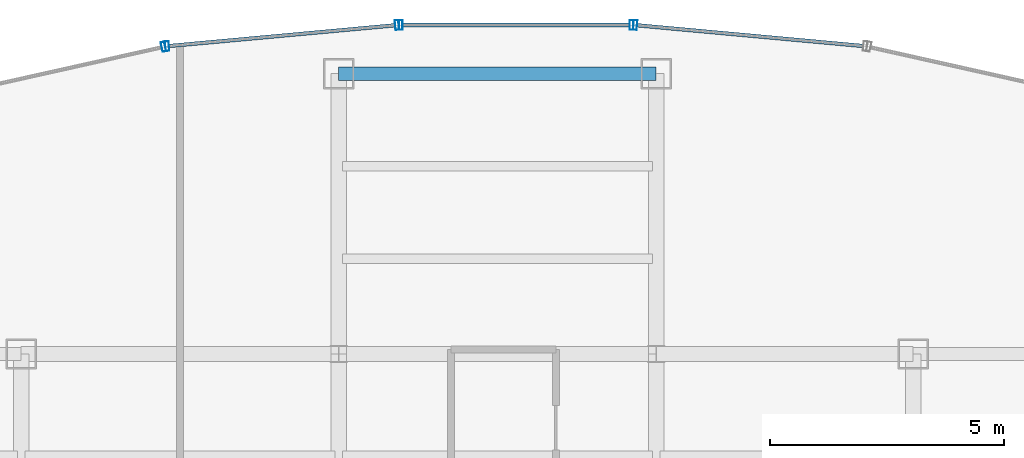
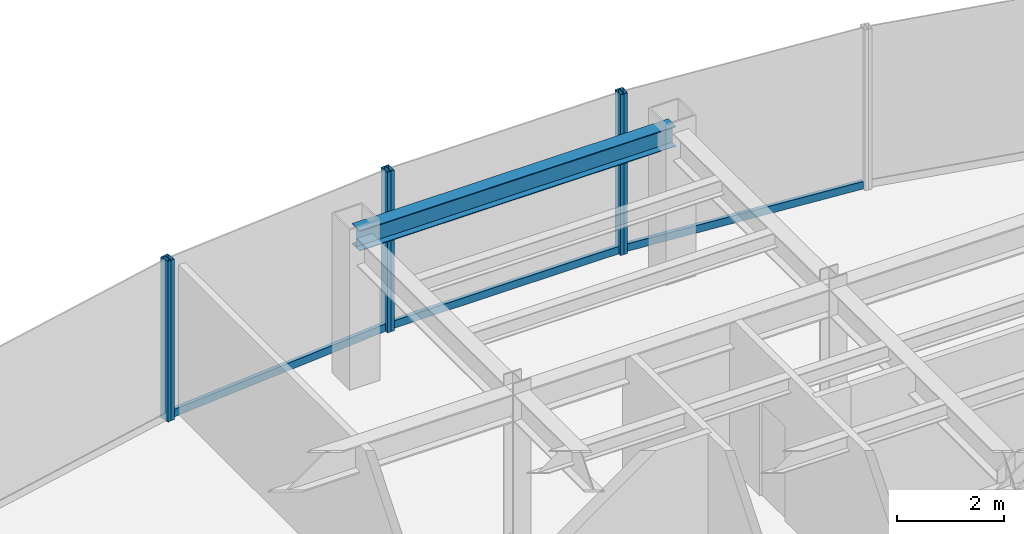
# One storey, part 16 of 25: 9 members, 1 beam, 4 elements without a shape of their own.
"""IFC4 building model written with IfcOpenShell, lengths in metres."""

from ifc_helpers import new_model, si_unit, derived_unit, direction, frame, origin, origin_2d, place, context, subcontext, project, spatial, hollow_rectangle, i_section, extrude, source, transform, mapped, material, material_profile, profile_set, type_object, element, aggregate, save


model = new_model("IFC4")

# Units and contexts
model_context = context("Model", 3, precision=1e-05, world=origin(), true_north=direction((0.0, 1.0)))
body_context = subcontext(model_context, "Body", "Model", "MODEL_VIEW")
ifc_project = project(units=[si_unit("LENGTHUNIT", "METRE"), si_unit("AREAUNIT", "SQUARE_METRE"), si_unit("VOLUMEUNIT", "CUBIC_METRE"), si_unit("PLANEANGLEUNIT", "RADIAN"), si_unit("MASSUNIT", "GRAM", prefix="KILO"), derived_unit("THERMALTRANSMITTANCEUNIT", [(si_unit("POWERUNIT", "WATT"), 1), (si_unit("LENGTHUNIT", "METRE"), -2), (si_unit("THERMODYNAMICTEMPERATUREUNIT", "KELVIN"), -1)])], contexts=[model_context])

# Site, building, storey
site_placement = place(None, origin())
site = spatial("IfcSite", under=ifc_project, at=site_placement, CompositionType="ELEMENT")
building_placement = place(site_placement, origin())
building = spatial("IfcBuilding", under=site, at=building_placement, Name="Skarnbrae Concourse Arena and Tower", CompositionType="ELEMENT")
storey_placement = place(building_placement, frame((0.0, 0.0, 162.5)))
storey = spatial("IfcBuildingStorey", under=building, at=storey_placement, Name="L41", CompositionType="ELEMENT", Elevation=162.5)

# Beam
ifc_material_1 = material(Name="Steel CSA G40.21 350W", Category="steel")
ifc_material_profile_1 = material_profile(ifc_material_1, i_section(OverallWidth=0.280029296875, OverallDepth=0.462890625, WebThickness=0.0107421875, FlangeThickness=0.017333984375, at=origin_2d()), Name="W460X113")
ifc_profile_set_1 = profile_set([ifc_material_profile_1], Name="Steel CSA G40.21 350W")
beam_type = type_object("IfcBeamType", Name="BM-SPAN-W460X113", PredefinedType="SPANDREL", material=ifc_profile_set_1)
shared_shape_1 = source(origin(), body_context, "Body", "SweptSolid", [
    extrude(i_section(OverallWidth=0.280029296875, OverallDepth=0.462890625, WebThickness=0.0107421875, FlangeThickness=0.017333984375, at=origin_2d()), origin(), (0.0, 0.0, 1.0), 6.800048828125),
])
beam_placement = place(storey_placement, frame((21.199951171875, 40.39990234375, 3.16845703125), z_axis=(1.0, 0.0, 0.0), x_axis=(0.0, 1.0, 0.0)))
element("IfcBeam", 1, at=beam_placement, inside=storey, type_object=beam_type, Name="L41 Perimeter spandrel Y40.4-1", PredefinedType="SPANDREL", context=body_context, shape_type="MappedRepresentation", body=[
    mapped(shared_shape_1, transform((0.0, 0.0, 0.0))),
])

# Curtain wall, member
ifc_material_2 = material(Name="Bronze anodised aluminium 6063-T6", Category="aluminium")
curtain_wall_type = type_object("IfcCurtainWallType", Name="CW-SYS-03-PORTAL", PredefinedType="USERDEFINED", material=ifc_material_2)
curtain_wall_1_placement = place(storey_placement, origin())
curtain_wall_1 = element("IfcCurtainWall", 2, at=curtain_wall_1_placement, inside=storey, type_object=curtain_wall_type, Name="L41 Unitised curtain wall CW-L41-E10", ObjectType="UNITISED CURTAIN WALL", PredefinedType="USERDEFINED")
ifc_material_profile_2 = material_profile(ifc_material_2, hollow_rectangle(XDim=0.080078125, YDim=0.2099609375, WallThickness=0.00439453125, at=origin_2d()), Name="ALU-MULL-80X210")
ifc_profile_set_2 = profile_set([ifc_material_profile_2], Name="Bronze anodised aluminium 6063-T6")
member_type_1 = type_object("IfcMemberType", Name="CWM-CW-03", PredefinedType="MULLION", material=ifc_profile_set_2)
shared_shape_2 = source(origin(), body_context, "Body", "SweptSolid", [
    extrude(hollow_rectangle(XDim=0.080078125, YDim=0.2099609375, WallThickness=0.00439453125, at=origin_2d()), origin(), (0.0, 0.0, 1.0), 3.64990234375),
])
member_1_placement = place(storey_placement, frame((27.551025390625, 41.44189453125, 0.0), z_axis=(0.0, 0.0, 1.0), x_axis=(-0.995819926016, 0.091338244731, 0.0)))
member_1 = element("IfcMember", 3, at=member_1_placement, type_object=member_type_1, Name="CW-L41-E10 Mullion 2", PredefinedType="MULLION", context=body_context, shape_type="MappedRepresentation", body=[
    mapped(shared_shape_2, transform((0.0, 0.0, 0.0))),
])

# Curtain wall, members
curtain_wall_2_placement = place(storey_placement, origin())
curtain_wall_2 = element("IfcCurtainWall", 4, at=curtain_wall_2_placement, inside=storey, type_object=curtain_wall_type, Name="L41 Unitised curtain wall CW-L41-E11", ObjectType="UNITISED CURTAIN WALL", PredefinedType="USERDEFINED")
member_2_placement = place(storey_placement, frame((27.47119140625, 41.445556640625, 0.0), z_axis=(0.0, 0.0, 1.0), x_axis=(-1.0, 0.0, 0.0)))
member_2 = element("IfcMember", 5, at=member_2_placement, type_object=member_type_1, Name="CW-L41-E11 Mullion 1", PredefinedType="MULLION", context=body_context, shape_type="MappedRepresentation", body=[
    mapped(shared_shape_2, transform((0.0, 0.0, 0.0))),
])
member_3_placement = place(storey_placement, frame((22.52880859375, 41.445556640625, 0.0), z_axis=(0.0, 0.0, 1.0), x_axis=(-1.0, 0.0, 0.0)))
member_3 = element("IfcMember", 6, at=member_3_placement, type_object=member_type_1, Name="CW-L41-E11 Mullion 2", PredefinedType="MULLION", context=body_context, shape_type="MappedRepresentation", body=[
    mapped(shared_shape_2, transform((0.0, 0.0, 0.0))),
])

curtain_wall_3_placement = place(storey_placement, origin())
curtain_wall_3 = element("IfcCurtainWall", 7, at=curtain_wall_3_placement, inside=storey, type_object=curtain_wall_type, Name="L41 Unitised curtain wall CW-L41-E12", ObjectType="UNITISED CURTAIN WALL", PredefinedType="USERDEFINED")
member_4_placement = place(storey_placement, frame((22.448974609375, 41.44189453125, 0.0), z_axis=(0.0, 0.0, 1.0), x_axis=(-0.995819926016, -0.091338244731, 0.0)))
member_4 = element("IfcMember", 8, at=member_4_placement, type_object=member_type_1, Name="CW-L41-E12 Mullion 1", PredefinedType="MULLION", context=body_context, shape_type="MappedRepresentation", body=[
    mapped(shared_shape_2, transform((0.0, 0.0, 0.0))),
])
member_5_placement = place(storey_placement, frame((17.527587890625, 40.990478515625, 0.0), z_axis=(0.0, 0.0, 1.0), x_axis=(-0.995819926016, -0.091338244731, 0.0)))
member_5 = element("IfcMember", 9, at=member_5_placement, type_object=member_type_1, Name="CW-L41-E12 Mullion 2", PredefinedType="MULLION", context=body_context, shape_type="MappedRepresentation", body=[
    mapped(shared_shape_2, transform((0.0, 0.0, 0.0))),
])

# Curtain wall, member
curtain_wall_4_placement = place(storey_placement, origin())
curtain_wall_4 = element("IfcCurtainWall", 10, at=curtain_wall_4_placement, inside=storey, type_object=curtain_wall_type, Name="L41 Unitised curtain wall CW-L41-E13", ObjectType="UNITISED CURTAIN WALL", PredefinedType="USERDEFINED")
member_6_placement = place(storey_placement, frame((17.44873046875, 40.978271484375, 0.0), z_axis=(0.0, 0.0, 1.0), x_axis=(-0.975936175393, -0.218056372433, 0.0)))
member_6 = element("IfcMember", 11, at=member_6_placement, type_object=member_type_1, Name="CW-L41-E13 Mullion 1", PredefinedType="MULLION", context=body_context, shape_type="MappedRepresentation", body=[
    mapped(shared_shape_2, transform((0.0, 0.0, 0.0))),
])
aggregate(curtain_wall_4, [member_6])

# Member
ifc_material_profile_3 = material_profile(ifc_material_2, hollow_rectangle(XDim=0.080078125, YDim=0.169921875, WallThickness=0.00439453125, at=origin_2d()), Name="ALU-TRAN-80X170")
ifc_profile_set_3 = profile_set([ifc_material_profile_3], Name="Bronze anodised aluminium 6063-T6")
member_type_2 = type_object("IfcMemberType", Name="CWT-CW-03", PredefinedType="USERDEFINED", material=ifc_profile_set_3)
shared_shape_3 = source(origin(), body_context, "Body", "SweptSolid", [
    extrude(hollow_rectangle(XDim=0.080078125, YDim=0.169921875, WallThickness=0.00439453125, at=origin_2d()), origin(), (0.0, 0.0, 1.0), 4.86181640625),
])
member_7_placement = place(storey_placement, frame((32.4326171875, 40.994140625, 0.0849609375), z_axis=(-0.995819615433, 0.091341630804, 0.0), x_axis=(-0.091341630804, -0.995819615433, 0.0)))
member_7 = element("IfcMember", 12, at=member_7_placement, type_object=member_type_2, Name="CW-L41-E10 Transom 1", ObjectType="TRANSOM", PredefinedType="USERDEFINED", context=body_context, shape_type="MappedRepresentation", body=[
    mapped(shared_shape_3, transform((0.0, 0.0, 0.0))),
])

aggregate(curtain_wall_1, [member_1, member_7])

member_8_placement = place(storey_placement, frame((22.408935546875, 41.438232421875, 0.0849609375), z_axis=(-0.995819615433, -0.091341630804, 0.0), x_axis=(0.091341630804, -0.995819615433, 0.0)))
member_8 = element("IfcMember", 13, at=member_8_placement, type_object=member_type_2, Name="CW-L41-E12 Transom 1", ObjectType="TRANSOM", PredefinedType="USERDEFINED", context=body_context, shape_type="MappedRepresentation", body=[
    mapped(shared_shape_3, transform((0.0, 0.0, 0.0))),
])

aggregate(curtain_wall_3, [member_4, member_5, member_8])

shared_shape_4 = source(origin(), body_context, "Body", "SweptSolid", [
    extrude(hollow_rectangle(XDim=0.080078125, YDim=0.169921875, WallThickness=0.00439453125, at=origin_2d()), origin(), (0.0, 0.0, 1.0), 4.86279296875),
])
member_9_placement = place(storey_placement, frame((27.431396484375, 41.445556640625, 0.0849609375), z_axis=(-1.0, 0.0, 0.0), x_axis=(0.0, -1.0, 0.0)))
member_9 = element("IfcMember", 14, at=member_9_placement, type_object=member_type_2, Name="CW-L41-E11 Transom 1", ObjectType="TRANSOM", PredefinedType="USERDEFINED", context=body_context, shape_type="MappedRepresentation", body=[
    mapped(shared_shape_4, transform((0.0, 0.0, 0.0))),
])

aggregate(curtain_wall_2, [member_2, member_3, member_9])

save(model, "model.ifc")
